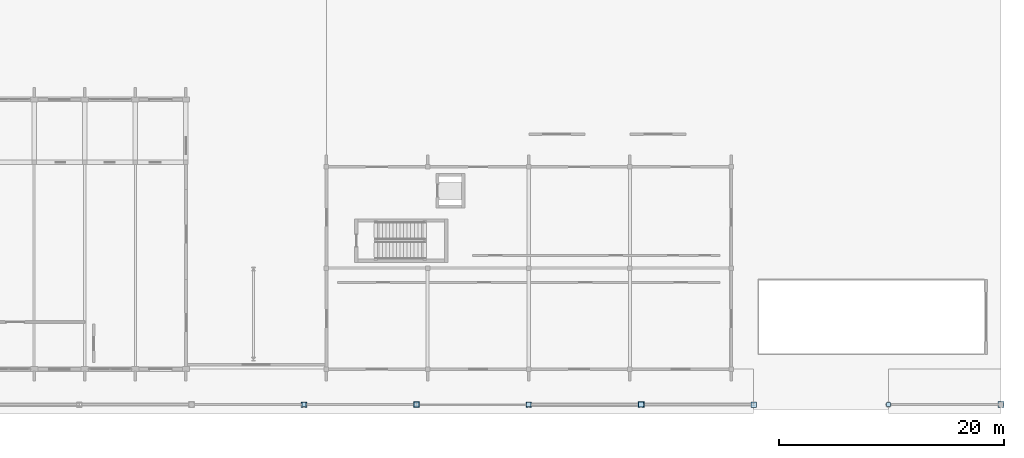
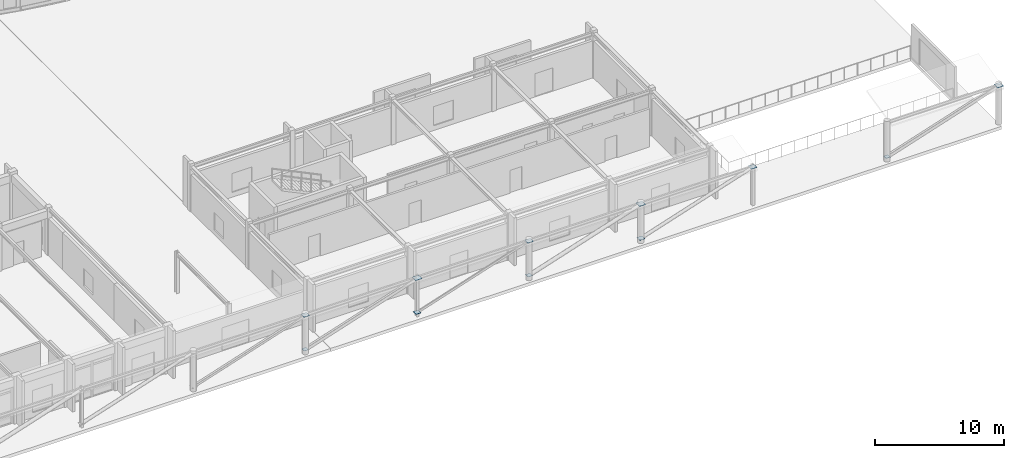
# One storey, part 24 of 61: 11 plates.
"""IFC4 building model written with IfcOpenShell, lengths in metres."""

from ifc_helpers import new_model, si_unit, direction, frame, origin, origin_2d, place, context, subcontext, project, spatial, rectangle, extrude, material, layer, layer_set, type_object, element, save


model = new_model("IFC4")

# Units and contexts
model_context = context("Model", 3, precision=1e-05, world=origin(), true_north=direction((0.0, 1.0)))
body_context = subcontext(model_context, "Body", "Model", "MODEL_VIEW")
ifc_project = project(units=[si_unit("LENGTHUNIT", "METRE"), si_unit("AREAUNIT", "SQUARE_METRE"), si_unit("VOLUMEUNIT", "CUBIC_METRE"), si_unit("PLANEANGLEUNIT", "RADIAN"), si_unit("MASSUNIT", "GRAM", prefix="KILO")], contexts=[model_context])

# Site, building, storey
site_placement = place(None, origin())
site = spatial("IfcSite", under=ifc_project, at=site_placement, CompositionType="ELEMENT")
building_placement = place(site_placement, origin())
building = spatial("IfcBuilding", under=site, at=building_placement, Name="Zimvara Arc Housing Community", CompositionType="ELEMENT")
storey_placement = place(building_placement, origin())
storey = spatial("IfcBuildingStorey", under=building, at=storey_placement, Name="L00", CompositionType="ELEMENT", Elevation=0.0)

# Plates
ifc_material_1 = material(Name="Steel S355", Category="steel")
ifc_layer_1 = layer(ifc_material_1, 0.02490234375)
ifc_layer_set_1 = layer_set([ifc_layer_1], Name="Steel S355")
plate_type_1 = type_object("IfcPlateType", Name="PLT-CONN-01", PredefinedType="SHEET", material=ifc_layer_set_1)
for number, where, z_axis, x_axis, name in (
    (1, (120.0, 0.449951171875, 0.337646484375), (0.0, 0.0, 1.0), (1.0, 0.0, 0.0), "plate:brace_end:121"),
    (2, (140.0, 0.449951171875, 0.337646484375), (0.0, 0.0, 1.0), (1.0, 0.0, 0.0), "plate:brace_end:125"),
):
    element("IfcPlate", number, at=place(storey_placement, frame(where, z_axis=z_axis, x_axis=x_axis)), inside=storey, type_object=plate_type_1, Name=name, PredefinedType="SHEET", context=body_context, shape_type="SweptSolid", body=[
        extrude(rectangle(XDim=0.449951171875, YDim=0.449951171875, at=origin_2d()), origin(), (0.0, 0.0, 1.0), 0.02490234375),
    ])
ifc_material_2 = material(Name="Steel S355", Category="steel")
ifc_layer_2 = layer(ifc_material_2, 0.030029296875)
ifc_layer_set_2 = layer_set([ifc_layer_2], Name="Steel S355")
plate_type_2 = type_object("IfcPlateType", Name="PLT-CONN-02", PredefinedType="SHEET", material=ifc_layer_set_2)
for number, where, z_axis, x_axis, name in (
    (3, (110.0, 0.449951171875, 3.5849609375), (0.0, 0.0, 1.0), (1.0, 0.0, 0.0), "plate:brace_end:118"),
    (4, (130.0, 0.449951171875, 3.5849609375), (0.0, 0.0, 1.0), (1.0, 0.0, 0.0), "plate:brace_end:122"),
    (5, (150.0, 0.449951171875, 3.5849609375), (0.0, 0.0, 1.0), (1.0, 0.0, 0.0), "plate:brace_end:126"),
):
    element("IfcPlate", number, at=place(storey_placement, frame(where, z_axis=z_axis, x_axis=x_axis)), inside=storey, type_object=plate_type_2, Name=name, PredefinedType="SHEET", context=body_context, shape_type="SweptSolid", body=[
        extrude(rectangle(XDim=0.5, YDim=0.5, at=origin_2d()), origin(), (0.0, 0.0, 1.0), 0.030029296875),
    ])
ifc_material_3 = material(Name="Steel S355", Category="steel")
ifc_layer_3 = layer(ifc_material_3, 0.02197265625)
ifc_layer_set_3 = layer_set([ifc_layer_3], Name="Steel S355")
plate_type_3 = type_object("IfcPlateType", Name="PLT-CONN-03", PredefinedType="SHEET", material=ifc_layer_set_3)
for number, where, z_axis, x_axis, name in (
    (6, (110.0, 0.449951171875, 0.339111328125), (0.0, 0.0, 1.0), (1.0, 0.0, 0.0), "plate:brace_end:119"),
    (7, (130.0, 0.449951171875, 0.339111328125), (0.0, 0.0, 1.0), (1.0, 0.0, 0.0), "plate:brace_end:123"),
    (8, (162.0, 0.449951171875, 0.339111328125), (0.0, 0.0, 1.0), (1.0, 0.0, 0.0), "plate:brace_end:127"),
):
    element("IfcPlate", number, at=place(storey_placement, frame(where, z_axis=z_axis, x_axis=x_axis)), inside=storey, type_object=plate_type_3, Name=name, PredefinedType="SHEET", context=body_context, shape_type="SweptSolid", body=[
        extrude(rectangle(XDim=0.3798828125, YDim=0.3798828125, at=origin_2d()), origin(), (0.0, 0.0, 1.0), 0.02197265625),
    ])
ifc_material_4 = material(Name="Steel S355", Category="steel")
ifc_layer_4 = layer(ifc_material_4, 0.034912109375)
ifc_layer_set_4 = layer_set([ifc_layer_4], Name="Steel S355")
plate_type_4 = type_object("IfcPlateType", Name="PLT-CONN-04", PredefinedType="SHEET", material=ifc_layer_set_4)
for number, where, z_axis, x_axis, name in (
    (9, (120.0, 0.449951171875, 3.58251953125), (0.0, 0.0, 1.0), (1.0, 0.0, 0.0), "plate:brace_end:120"),
    (10, (140.0, 0.449951171875, 3.58251953125), (0.0, 0.0, 1.0), (1.0, 0.0, 0.0), "plate:brace_end:124"),
    (11, (172.0, 0.449951171875, 3.58251953125), (0.0, 0.0, 1.0), (1.0, 0.0, 0.0), "plate:brace_end:128"),
):
    element("IfcPlate", number, at=place(storey_placement, frame(where, z_axis=z_axis, x_axis=x_axis)), inside=storey, type_object=plate_type_4, Name=name, PredefinedType="SHEET", context=body_context, shape_type="SweptSolid", body=[
        extrude(rectangle(XDim=0.550048828125, YDim=0.550048828125, at=origin_2d()), origin(), (0.0, 0.0, 1.0), 0.034912109375),
    ])

save(model, "model.ifc")
